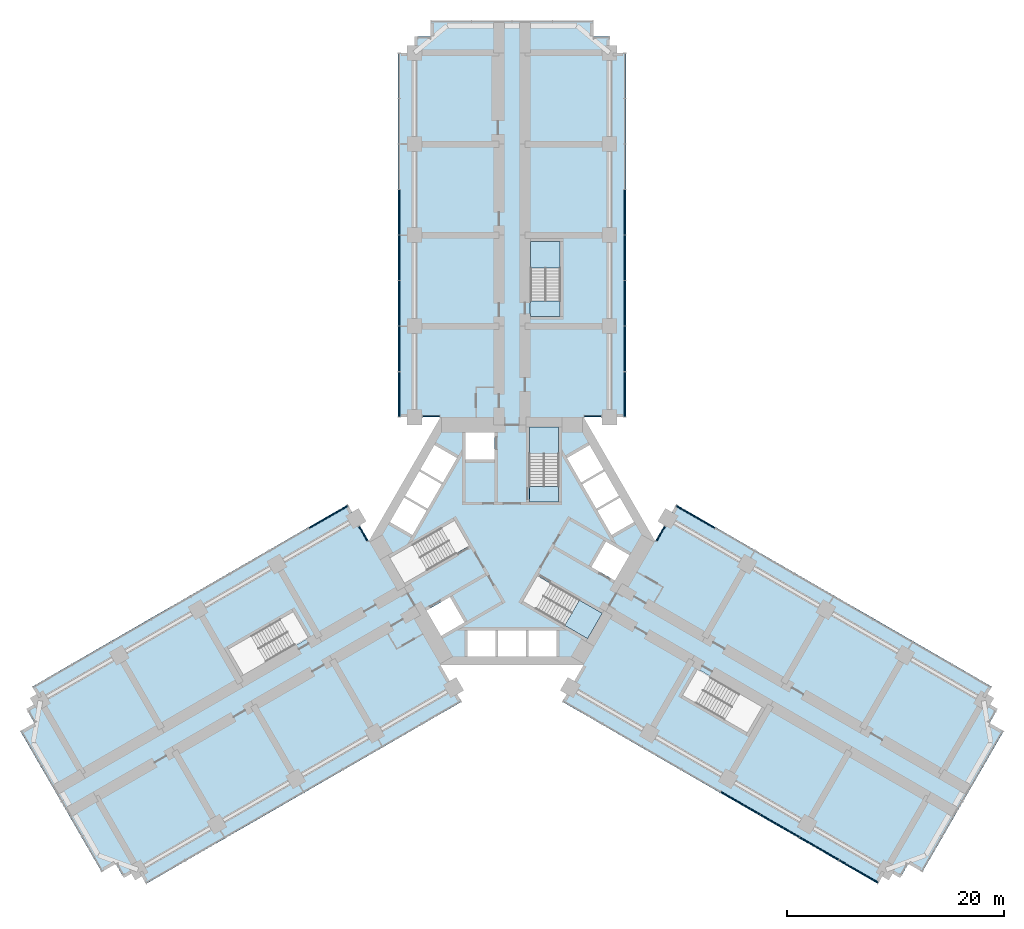
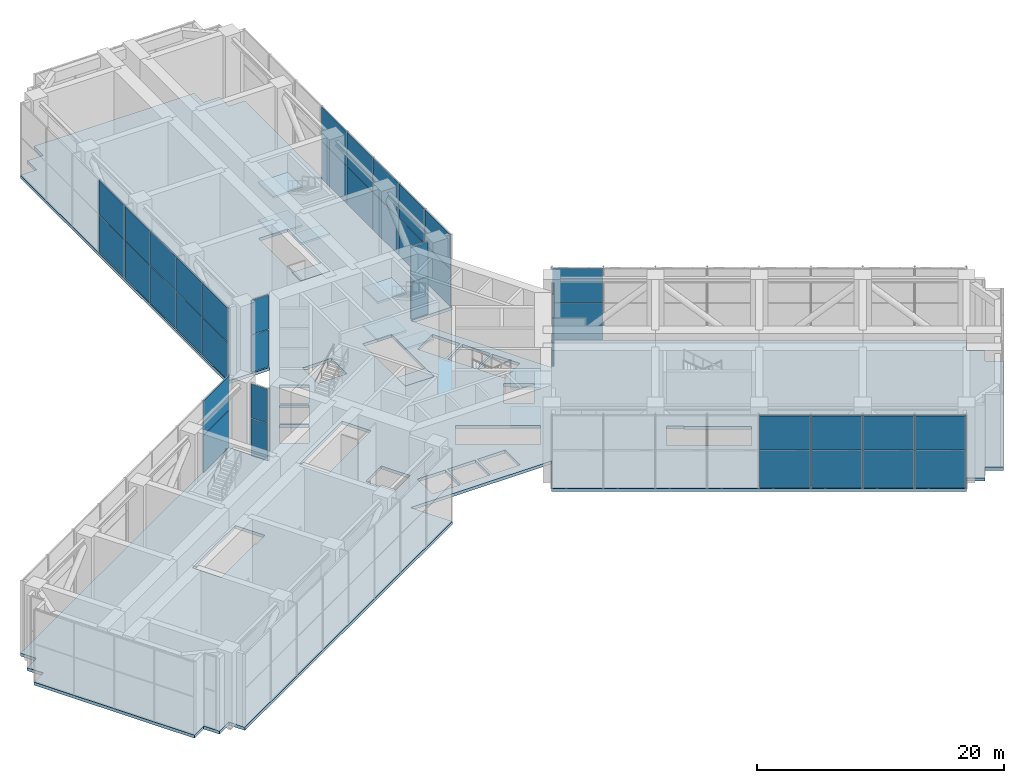
# One storey, part 11 of 19: 40 plates, 11 slabs, 12 elements without a shape of their own.
"""IFC4 building model written with IfcOpenShell, lengths in metres."""

from ifc_helpers import new_model, si_unit, direction, frame, origin, origin_2d, place, context, subcontext, project, spatial, polyline, rectangle, outline, extrude, material, layer, layer_set, type_object, element, aggregate, save


model = new_model("IFC4")

# Units and contexts
model_context = context("Model", 3, precision=1e-05, world=origin(), true_north=direction((0.0, 1.0)))
body_context = subcontext(model_context, "Body", "Model", "MODEL_VIEW")
ifc_project = project(units=[si_unit("LENGTHUNIT", "METRE"), si_unit("AREAUNIT", "SQUARE_METRE"), si_unit("VOLUMEUNIT", "CUBIC_METRE"), si_unit("PLANEANGLEUNIT", "RADIAN"), si_unit("MASSUNIT", "GRAM", prefix="KILO")], contexts=[model_context])

# Site, building, storey
site_placement = place(None, origin())
site = spatial("IfcSite", under=ifc_project, at=site_placement, CompositionType="ELEMENT")
building_placement = place(site_placement, origin())
building = spatial("IfcBuilding", under=site, at=building_placement, Name="Impinga Residences", CompositionType="ELEMENT")
storey_placement = place(building_placement, frame((0.0, 0.0, 93.5)))
storey = spatial("IfcBuildingStorey", under=building, at=storey_placement, Name="L23", CompositionType="ELEMENT", Elevation=93.5)

# Curtain wall, plates
ifc_material_1 = material(Name="Aluminium stick curtain wall", Category="aluminium")
curtain_wall_type = type_object("IfcCurtainWallType", Name="CW4 plant floor louvred curtain wall", PredefinedType="USERDEFINED", material=ifc_material_1)
curtain_wall_1_placement = place(storey_placement, origin())
curtain_wall_1 = element("IfcCurtainWall", 1, at=curtain_wall_1_placement, inside=storey, type_object=curtain_wall_type, Name="Curtain wall CW4 L23", ObjectType="STICK CURTAIN WALL", PredefinedType="USERDEFINED")
ifc_material_2 = material(Name="Aluminium louvre blade panel", Category="aluminium")
ifc_layer_1 = layer(ifc_material_2, 0.10009765625)
ifc_layer_set_1 = layer_set([ifc_layer_1], Name="CW4-P louvre panel 100")
plate_type = type_object("IfcPlateType", Name="CW4-P louvre panel 100", PredefinedType="CURTAIN_PANEL", material=ifc_layer_set_1)
plate_1_placement = place(storey_placement, frame((-16.931640625, 2.2333984375, 0.06005859375), z_axis=(0.0, 0.0, 1.0), x_axis=(0.866025407005, 0.499999994423, 0.0)))
plate_1 = element("IfcPlate", 2, at=plate_1_placement, type_object=plate_type, Name="CW4 panel 8.1", PredefinedType="CURTAIN_PANEL", context=body_context, shape_type="SweptSolid", body=[
    extrude(rectangle(XDim=4.110107421875, YDim=0.10009765625, at=origin_2d()), origin(), (0.0, 0.0, 1.0), 3.659912109375),
])
plate_2_placement = place(storey_placement, frame((-16.931640625, 2.2333984375, 3.77978515625), z_axis=(0.0, 0.0, 1.0), x_axis=(0.866025407005, 0.499999994423, 0.0)))
plate_2 = element("IfcPlate", 3, at=plate_2_placement, type_object=plate_type, Name="CW4 panel 8.2", PredefinedType="CURTAIN_PANEL", context=body_context, shape_type="SweptSolid", body=[
    extrude(rectangle(XDim=4.110107421875, YDim=0.10009765625, at=origin_2d()), origin(), (0.0, 0.0, 1.0), 3.360107421875),
])
aggregate(curtain_wall_1, [plate_1, plate_2])

curtain_wall_2_placement = place(storey_placement, origin())
curtain_wall_2 = element("IfcCurtainWall", 4, at=curtain_wall_2_placement, inside=storey, type_object=curtain_wall_type, Name="Curtain wall CW4 L23", ObjectType="STICK CURTAIN WALL", PredefinedType="USERDEFINED")
plate_3_placement = place(storey_placement, frame((-13.717041015625, 0.69580078125, 0.06005859375), z_axis=(0.0, 0.0, 1.0), x_axis=(0.500000069952, -0.866025363398, 0.0)))
plate_3 = element("IfcPlate", 5, at=plate_3_placement, type_object=plate_type, Name="CW4 panel 1.1", PredefinedType="CURTAIN_PANEL", context=body_context, shape_type="SweptSolid", body=[
    extrude(rectangle(XDim=1.5517578125, YDim=0.10009765625, at=origin_2d()), origin(), (0.0, 0.0, 1.0), 3.659912109375),
])
plate_4_placement = place(storey_placement, frame((-13.717041015625, 0.69580078125, 3.77978515625), z_axis=(0.0, 0.0, 1.0), x_axis=(0.500000069952, -0.866025363398, 0.0)))
plate_4 = element("IfcPlate", 6, at=plate_4_placement, type_object=plate_type, Name="CW4 panel 1.2", PredefinedType="CURTAIN_PANEL", context=body_context, shape_type="SweptSolid", body=[
    extrude(rectangle(XDim=1.5517578125, YDim=0.10009765625, at=origin_2d()), origin(), (0.0, 0.0, 1.0), 3.360107421875),
])
aggregate(curtain_wall_2, [plate_3, plate_4])

curtain_wall_3_placement = place(storey_placement, origin())
curtain_wall_3 = element("IfcCurtainWall", 7, at=curtain_wall_3_placement, inside=storey, type_object=curtain_wall_type, Name="Curtain wall CW4 L23", ObjectType="STICK CURTAIN WALL", PredefinedType="USERDEFINED")
plate_5_placement = place(storey_placement, frame((-7.461181640625, 11.531494140625, 0.06005859375), z_axis=(0.0, 0.0, 1.0), x_axis=(-1.0, 0.0, 0.0)))
plate_5 = element("IfcPlate", 8, at=plate_5_placement, type_object=plate_type, Name="CW4 panel 1.1", PredefinedType="CURTAIN_PANEL", context=body_context, shape_type="SweptSolid", body=[
    extrude(rectangle(XDim=1.5517578125, YDim=0.10009765625, at=origin_2d()), origin(), (0.0, 0.0, 1.0), 3.659912109375),
])
plate_6_placement = place(storey_placement, frame((-7.461181640625, 11.531494140625, 3.77978515625), z_axis=(0.0, 0.0, 1.0), x_axis=(-1.0, 0.0, 0.0)))
plate_6 = element("IfcPlate", 9, at=plate_6_placement, type_object=plate_type, Name="CW4 panel 1.2", PredefinedType="CURTAIN_PANEL", context=body_context, shape_type="SweptSolid", body=[
    extrude(rectangle(XDim=1.5517578125, YDim=0.10009765625, at=origin_2d()), origin(), (0.0, 0.0, 1.0), 3.360107421875),
])
aggregate(curtain_wall_3, [plate_5, plate_6])

curtain_wall_4_placement = place(storey_placement, origin())
curtain_wall_4 = element("IfcCurtainWall", 10, at=curtain_wall_4_placement, inside=storey, type_object=curtain_wall_type, Name="Curtain wall CW4 L23", ObjectType="STICK CURTAIN WALL", PredefinedType="USERDEFINED")
plate_7_placement = place(storey_placement, frame((-10.39990234375, 13.546630859375, 0.06005859375), z_axis=(0.0, 0.0, 1.0), x_axis=(0.0, 1.0, 0.0)))
plate_7 = element("IfcPlate", 11, at=plate_7_placement, type_object=plate_type, Name="CW4 panel 1.1", PredefinedType="CURTAIN_PANEL", context=body_context, shape_type="SweptSolid", body=[
    extrude(rectangle(XDim=4.110107421875, YDim=0.10009765625, at=origin_2d()), origin(), (0.0, 0.0, 1.0), 3.659912109375),
])
plate_8_placement = place(storey_placement, frame((-10.39990234375, 13.546630859375, 3.77978515625), z_axis=(0.0, 0.0, 1.0), x_axis=(0.0, 1.0, 0.0)))
plate_8 = element("IfcPlate", 12, at=plate_8_placement, type_object=plate_type, Name="CW4 panel 1.2", PredefinedType="CURTAIN_PANEL", context=body_context, shape_type="SweptSolid", body=[
    extrude(rectangle(XDim=4.110107421875, YDim=0.10009765625, at=origin_2d()), origin(), (0.0, 0.0, 1.0), 3.360107421875),
])
plate_9_placement = place(storey_placement, frame((-10.39990234375, 17.7314453125, 0.06005859375), z_axis=(0.0, 0.0, 1.0), x_axis=(0.0, 1.0, 0.0)))
plate_9 = element("IfcPlate", 13, at=plate_9_placement, type_object=plate_type, Name="CW4 panel 2.1", PredefinedType="CURTAIN_PANEL", context=body_context, shape_type="SweptSolid", body=[
    extrude(rectangle(XDim=4.139892578125, YDim=0.10009765625, at=origin_2d()), origin(), (0.0, 0.0, 1.0), 3.659912109375),
])
plate_10_placement = place(storey_placement, frame((-10.39990234375, 17.7314453125, 3.77978515625), z_axis=(0.0, 0.0, 1.0), x_axis=(0.0, 1.0, 0.0)))
plate_10 = element("IfcPlate", 14, at=plate_10_placement, type_object=plate_type, Name="CW4 panel 2.2", PredefinedType="CURTAIN_PANEL", context=body_context, shape_type="SweptSolid", body=[
    extrude(rectangle(XDim=4.139892578125, YDim=0.10009765625, at=origin_2d()), origin(), (0.0, 0.0, 1.0), 3.360107421875),
])
plate_11_placement = place(storey_placement, frame((-10.39990234375, 21.931640625, 0.06005859375), z_axis=(0.0, 0.0, 1.0), x_axis=(0.0, 1.0, 0.0)))
plate_11 = element("IfcPlate", 15, at=plate_11_placement, type_object=plate_type, Name="CW4 panel 3.1", PredefinedType="CURTAIN_PANEL", context=body_context, shape_type="SweptSolid", body=[
    extrude(rectangle(XDim=4.139892578125, YDim=0.10009765625, at=origin_2d()), origin(), (0.0, 0.0, 1.0), 3.659912109375),
])
plate_12_placement = place(storey_placement, frame((-10.39990234375, 21.931640625, 3.77978515625), z_axis=(0.0, 0.0, 1.0), x_axis=(0.0, 1.0, 0.0)))
plate_12 = element("IfcPlate", 16, at=plate_12_placement, type_object=plate_type, Name="CW4 panel 3.2", PredefinedType="CURTAIN_PANEL", context=body_context, shape_type="SweptSolid", body=[
    extrude(rectangle(XDim=4.139892578125, YDim=0.10009765625, at=origin_2d()), origin(), (0.0, 0.0, 1.0), 3.360107421875),
])
plate_13_placement = place(storey_placement, frame((-10.39990234375, 26.131591796875, 0.06005859375), z_axis=(0.0, 0.0, 1.0), x_axis=(0.0, 1.0, 0.0)))
plate_13 = element("IfcPlate", 17, at=plate_13_placement, type_object=plate_type, Name="CW4 panel 4.1", PredefinedType="CURTAIN_PANEL", context=body_context, shape_type="SweptSolid", body=[
    extrude(rectangle(XDim=4.139892578125, YDim=0.10009765625, at=origin_2d()), origin(), (0.0, 0.0, 1.0), 3.659912109375),
])
plate_14_placement = place(storey_placement, frame((-10.39990234375, 26.131591796875, 3.77978515625), z_axis=(0.0, 0.0, 1.0), x_axis=(0.0, 1.0, 0.0)))
plate_14 = element("IfcPlate", 18, at=plate_14_placement, type_object=plate_type, Name="CW4 panel 4.2", PredefinedType="CURTAIN_PANEL", context=body_context, shape_type="SweptSolid", body=[
    extrude(rectangle(XDim=4.139892578125, YDim=0.10009765625, at=origin_2d()), origin(), (0.0, 0.0, 1.0), 3.360107421875),
])
plate_15_placement = place(storey_placement, frame((-10.39990234375, 30.33154296875, 0.06005859375), z_axis=(0.0, 0.0, 1.0), x_axis=(0.0, 1.0, 0.0)))
plate_15 = element("IfcPlate", 19, at=plate_15_placement, type_object=plate_type, Name="CW4 panel 5.1", PredefinedType="CURTAIN_PANEL", context=body_context, shape_type="SweptSolid", body=[
    extrude(rectangle(XDim=4.139892578125, YDim=0.10009765625, at=origin_2d()), origin(), (0.0, 0.0, 1.0), 3.659912109375),
])
plate_16_placement = place(storey_placement, frame((-10.39990234375, 30.33154296875, 3.77978515625), z_axis=(0.0, 0.0, 1.0), x_axis=(0.0, 1.0, 0.0)))
plate_16 = element("IfcPlate", 20, at=plate_16_placement, type_object=plate_type, Name="CW4 panel 5.2", PredefinedType="CURTAIN_PANEL", context=body_context, shape_type="SweptSolid", body=[
    extrude(rectangle(XDim=4.139892578125, YDim=0.10009765625, at=origin_2d()), origin(), (0.0, 0.0, 1.0), 3.360107421875),
])
aggregate(curtain_wall_4, [plate_7, plate_8, plate_9, plate_10, plate_11, plate_12, plate_13, plate_14, plate_15, plate_16])

curtain_wall_5_placement = place(storey_placement, origin())
curtain_wall_5 = element("IfcCurtainWall", 21, at=curtain_wall_5_placement, inside=storey, type_object=curtain_wall_type, Name="Curtain wall CW4 L23", ObjectType="STICK CURTAIN WALL", PredefinedType="USERDEFINED")
plate_17_placement = place(storey_placement, frame((10.39990234375, 30.33154296875, 0.06005859375), z_axis=(0.0, 0.0, 1.0), x_axis=(0.0, -1.0, 0.0)))
plate_17 = element("IfcPlate", 22, at=plate_17_placement, type_object=plate_type, Name="CW4 panel 4.1", PredefinedType="CURTAIN_PANEL", context=body_context, shape_type="SweptSolid", body=[
    extrude(rectangle(XDim=4.139892578125, YDim=0.10009765625, at=origin_2d()), origin(), (0.0, 0.0, 1.0), 3.659912109375),
])
plate_18_placement = place(storey_placement, frame((10.39990234375, 30.33154296875, 3.77978515625), z_axis=(0.0, 0.0, 1.0), x_axis=(0.0, -1.0, 0.0)))
plate_18 = element("IfcPlate", 23, at=plate_18_placement, type_object=plate_type, Name="CW4 panel 4.2", PredefinedType="CURTAIN_PANEL", context=body_context, shape_type="SweptSolid", body=[
    extrude(rectangle(XDim=4.139892578125, YDim=0.10009765625, at=origin_2d()), origin(), (0.0, 0.0, 1.0), 3.360107421875),
])
plate_19_placement = place(storey_placement, frame((10.39990234375, 26.131591796875, 0.06005859375), z_axis=(0.0, 0.0, 1.0), x_axis=(0.0, -1.0, 0.0)))
plate_19 = element("IfcPlate", 24, at=plate_19_placement, type_object=plate_type, Name="CW4 panel 5.1", PredefinedType="CURTAIN_PANEL", context=body_context, shape_type="SweptSolid", body=[
    extrude(rectangle(XDim=4.139892578125, YDim=0.10009765625, at=origin_2d()), origin(), (0.0, 0.0, 1.0), 3.659912109375),
])
plate_20_placement = place(storey_placement, frame((10.39990234375, 26.131591796875, 3.77978515625), z_axis=(0.0, 0.0, 1.0), x_axis=(0.0, -1.0, 0.0)))
plate_20 = element("IfcPlate", 25, at=plate_20_placement, type_object=plate_type, Name="CW4 panel 5.2", PredefinedType="CURTAIN_PANEL", context=body_context, shape_type="SweptSolid", body=[
    extrude(rectangle(XDim=4.139892578125, YDim=0.10009765625, at=origin_2d()), origin(), (0.0, 0.0, 1.0), 3.360107421875),
])
plate_21_placement = place(storey_placement, frame((10.39990234375, 21.931640625, 0.06005859375), z_axis=(0.0, 0.0, 1.0), x_axis=(0.0, -1.0, 0.0)))
plate_21 = element("IfcPlate", 26, at=plate_21_placement, type_object=plate_type, Name="CW4 panel 6.1", PredefinedType="CURTAIN_PANEL", context=body_context, shape_type="SweptSolid", body=[
    extrude(rectangle(XDim=4.139892578125, YDim=0.10009765625, at=origin_2d()), origin(), (0.0, 0.0, 1.0), 3.659912109375),
])
plate_22_placement = place(storey_placement, frame((10.39990234375, 21.931640625, 3.77978515625), z_axis=(0.0, 0.0, 1.0), x_axis=(0.0, -1.0, 0.0)))
plate_22 = element("IfcPlate", 27, at=plate_22_placement, type_object=plate_type, Name="CW4 panel 6.2", PredefinedType="CURTAIN_PANEL", context=body_context, shape_type="SweptSolid", body=[
    extrude(rectangle(XDim=4.139892578125, YDim=0.10009765625, at=origin_2d()), origin(), (0.0, 0.0, 1.0), 3.360107421875),
])
plate_23_placement = place(storey_placement, frame((10.39990234375, 17.7314453125, 0.06005859375), z_axis=(0.0, 0.0, 1.0), x_axis=(0.0, -1.0, 0.0)))
plate_23 = element("IfcPlate", 28, at=plate_23_placement, type_object=plate_type, Name="CW4 panel 7.1", PredefinedType="CURTAIN_PANEL", context=body_context, shape_type="SweptSolid", body=[
    extrude(rectangle(XDim=4.139892578125, YDim=0.10009765625, at=origin_2d()), origin(), (0.0, 0.0, 1.0), 3.659912109375),
])
plate_24_placement = place(storey_placement, frame((10.39990234375, 17.7314453125, 3.77978515625), z_axis=(0.0, 0.0, 1.0), x_axis=(0.0, -1.0, 0.0)))
plate_24 = element("IfcPlate", 29, at=plate_24_placement, type_object=plate_type, Name="CW4 panel 7.2", PredefinedType="CURTAIN_PANEL", context=body_context, shape_type="SweptSolid", body=[
    extrude(rectangle(XDim=4.139892578125, YDim=0.10009765625, at=origin_2d()), origin(), (0.0, 0.0, 1.0), 3.360107421875),
])
plate_25_placement = place(storey_placement, frame((10.39990234375, 13.546630859375, 0.06005859375), z_axis=(0.0, 0.0, 1.0), x_axis=(0.0, -1.0, 0.0)))
plate_25 = element("IfcPlate", 30, at=plate_25_placement, type_object=plate_type, Name="CW4 panel 8.1", PredefinedType="CURTAIN_PANEL", context=body_context, shape_type="SweptSolid", body=[
    extrude(rectangle(XDim=4.110107421875, YDim=0.10009765625, at=origin_2d()), origin(), (0.0, 0.0, 1.0), 3.659912109375),
])
plate_26_placement = place(storey_placement, frame((10.39990234375, 13.546630859375, 3.77978515625), z_axis=(0.0, 0.0, 1.0), x_axis=(0.0, -1.0, 0.0)))
plate_26 = element("IfcPlate", 31, at=plate_26_placement, type_object=plate_type, Name="CW4 panel 8.2", PredefinedType="CURTAIN_PANEL", context=body_context, shape_type="SweptSolid", body=[
    extrude(rectangle(XDim=4.110107421875, YDim=0.10009765625, at=origin_2d()), origin(), (0.0, 0.0, 1.0), 3.360107421875),
])
aggregate(curtain_wall_5, [plate_17, plate_18, plate_19, plate_20, plate_21, plate_22, plate_23, plate_24, plate_25, plate_26])

curtain_wall_6_placement = place(storey_placement, origin())
curtain_wall_6 = element("IfcCurtainWall", 32, at=curtain_wall_6_placement, inside=storey, type_object=curtain_wall_type, Name="Curtain wall CW4 L23", ObjectType="STICK CURTAIN WALL", PredefinedType="USERDEFINED")
plate_27_placement = place(storey_placement, frame((7.461181640625, 11.531494140625, 0.06005859375), z_axis=(0.0, 0.0, 1.0), x_axis=(-1.0, 0.0, 0.0)))
plate_27 = element("IfcPlate", 33, at=plate_27_placement, type_object=plate_type, Name="CW4 panel 1.1", PredefinedType="CURTAIN_PANEL", context=body_context, shape_type="SweptSolid", body=[
    extrude(rectangle(XDim=1.5517578125, YDim=0.10009765625, at=origin_2d()), origin(), (0.0, 0.0, 1.0), 3.659912109375),
])
plate_28_placement = place(storey_placement, frame((7.461181640625, 11.531494140625, 3.77978515625), z_axis=(0.0, 0.0, 1.0), x_axis=(-1.0, 0.0, 0.0)))
plate_28 = element("IfcPlate", 34, at=plate_28_placement, type_object=plate_type, Name="CW4 panel 1.2", PredefinedType="CURTAIN_PANEL", context=body_context, shape_type="SweptSolid", body=[
    extrude(rectangle(XDim=1.5517578125, YDim=0.10009765625, at=origin_2d()), origin(), (0.0, 0.0, 1.0), 3.360107421875),
])
aggregate(curtain_wall_6, [plate_27, plate_28])

curtain_wall_7_placement = place(storey_placement, origin())
curtain_wall_7 = element("IfcCurtainWall", 35, at=curtain_wall_7_placement, inside=storey, type_object=curtain_wall_type, Name="Curtain wall CW4 L23", ObjectType="STICK CURTAIN WALL", PredefinedType="USERDEFINED")
plate_29_placement = place(storey_placement, frame((13.717041015625, 0.69580078125, 0.06005859375), z_axis=(0.0, 0.0, 1.0), x_axis=(0.500000069952, 0.866025363398, 0.0)))
plate_29 = element("IfcPlate", 36, at=plate_29_placement, type_object=plate_type, Name="CW4 panel 1.1", PredefinedType="CURTAIN_PANEL", context=body_context, shape_type="SweptSolid", body=[
    extrude(rectangle(XDim=1.5517578125, YDim=0.10009765625, at=origin_2d()), origin(), (0.0, 0.0, 1.0), 3.659912109375),
])
plate_30_placement = place(storey_placement, frame((13.717041015625, 0.69580078125, 3.77978515625), z_axis=(0.0, 0.0, 1.0), x_axis=(0.500000069952, 0.866025363398, 0.0)))
plate_30 = element("IfcPlate", 37, at=plate_30_placement, type_object=plate_type, Name="CW4 panel 1.2", PredefinedType="CURTAIN_PANEL", context=body_context, shape_type="SweptSolid", body=[
    extrude(rectangle(XDim=1.5517578125, YDim=0.10009765625, at=origin_2d()), origin(), (0.0, 0.0, 1.0), 3.360107421875),
])
aggregate(curtain_wall_7, [plate_29, plate_30])

curtain_wall_8_placement = place(storey_placement, origin())
curtain_wall_8 = element("IfcCurtainWall", 38, at=curtain_wall_8_placement, inside=storey, type_object=curtain_wall_type, Name="Curtain wall CW4 L23", ObjectType="STICK CURTAIN WALL", PredefinedType="USERDEFINED")
plate_31_placement = place(storey_placement, frame((16.931640625, 2.2333984375, 0.06005859375), z_axis=(0.0, 0.0, 1.0), x_axis=(0.866025407005, -0.499999994423, 0.0)))
plate_31 = element("IfcPlate", 39, at=plate_31_placement, type_object=plate_type, Name="CW4 panel 1.1", PredefinedType="CURTAIN_PANEL", context=body_context, shape_type="SweptSolid", body=[
    extrude(rectangle(XDim=4.110107421875, YDim=0.10009765625, at=origin_2d()), origin(), (0.0, 0.0, 1.0), 3.659912109375),
])
plate_32_placement = place(storey_placement, frame((16.931640625, 2.2333984375, 3.77978515625), z_axis=(0.0, 0.0, 1.0), x_axis=(0.866025407005, -0.499999994423, 0.0)))
plate_32 = element("IfcPlate", 40, at=plate_32_placement, type_object=plate_type, Name="CW4 panel 1.2", PredefinedType="CURTAIN_PANEL", context=body_context, shape_type="SweptSolid", body=[
    extrude(rectangle(XDim=4.110107421875, YDim=0.10009765625, at=origin_2d()), origin(), (0.0, 0.0, 1.0), 3.360107421875),
])
aggregate(curtain_wall_8, [plate_31, plate_32])

curtain_wall_9_placement = place(storey_placement, origin())
curtain_wall_9 = element("IfcCurtainWall", 41, at=curtain_wall_9_placement, inside=storey, type_object=curtain_wall_type, Name="Curtain wall CW4 L23", ObjectType="STICK CURTAIN WALL", PredefinedType="USERDEFINED")
plate_33_placement = place(storey_placement, frame((31.966796875, -30.46484375, 0.06005859375), z_axis=(0.0, 0.0, 1.0), x_axis=(-0.866025407005, 0.499999994423, 0.0)))
plate_33 = element("IfcPlate", 42, at=plate_33_placement, type_object=plate_type, Name="CW4 panel 1.1", PredefinedType="CURTAIN_PANEL", context=body_context, shape_type="SweptSolid", body=[
    extrude(rectangle(XDim=4.110107421875, YDim=0.10009765625, at=origin_2d()), origin(), (0.0, 0.0, 1.0), 3.659912109375),
])
plate_34_placement = place(storey_placement, frame((31.966796875, -30.46484375, 3.77978515625), z_axis=(0.0, 0.0, 1.0), x_axis=(-0.866025407005, 0.499999994423, 0.0)))
plate_34 = element("IfcPlate", 43, at=plate_34_placement, type_object=plate_type, Name="CW4 panel 1.2", PredefinedType="CURTAIN_PANEL", context=body_context, shape_type="SweptSolid", body=[
    extrude(rectangle(XDim=4.110107421875, YDim=0.10009765625, at=origin_2d()), origin(), (0.0, 0.0, 1.0), 3.360107421875),
])
plate_35_placement = place(storey_placement, frame((28.342529296875, -28.372314453125, 0.06005859375), z_axis=(0.0, 0.0, 1.0), x_axis=(-0.866025407005, 0.499999994423, 0.0)))
plate_35 = element("IfcPlate", 44, at=plate_35_placement, type_object=plate_type, Name="CW4 panel 2.1", PredefinedType="CURTAIN_PANEL", context=body_context, shape_type="SweptSolid", body=[
    extrude(rectangle(XDim=4.139892578125, YDim=0.10009765625, at=origin_2d()), origin(), (0.0, 0.0, 1.0), 3.659912109375),
])
plate_36_placement = place(storey_placement, frame((28.342529296875, -28.372314453125, 3.77978515625), z_axis=(0.0, 0.0, 1.0), x_axis=(-0.866025407005, 0.499999994423, 0.0)))
plate_36 = element("IfcPlate", 45, at=plate_36_placement, type_object=plate_type, Name="CW4 panel 2.2", PredefinedType="CURTAIN_PANEL", context=body_context, shape_type="SweptSolid", body=[
    extrude(rectangle(XDim=4.139892578125, YDim=0.10009765625, at=origin_2d()), origin(), (0.0, 0.0, 1.0), 3.360107421875),
])
plate_37_placement = place(storey_placement, frame((24.705078125, -26.2724609375, 0.06005859375), z_axis=(0.0, 0.0, 1.0), x_axis=(-0.866025407005, 0.499999994423, 0.0)))
plate_37 = element("IfcPlate", 46, at=plate_37_placement, type_object=plate_type, Name="CW4 panel 3.1", PredefinedType="CURTAIN_PANEL", context=body_context, shape_type="SweptSolid", body=[
    extrude(rectangle(XDim=4.139892578125, YDim=0.10009765625, at=origin_2d()), origin(), (0.0, 0.0, 1.0), 3.659912109375),
])
plate_38_placement = place(storey_placement, frame((24.705078125, -26.2724609375, 3.77978515625), z_axis=(0.0, 0.0, 1.0), x_axis=(-0.866025407005, 0.499999994423, 0.0)))
plate_38 = element("IfcPlate", 47, at=plate_38_placement, type_object=plate_type, Name="CW4 panel 3.2", PredefinedType="CURTAIN_PANEL", context=body_context, shape_type="SweptSolid", body=[
    extrude(rectangle(XDim=4.139892578125, YDim=0.10009765625, at=origin_2d()), origin(), (0.0, 0.0, 1.0), 3.360107421875),
])
plate_39_placement = place(storey_placement, frame((21.06787109375, -24.17236328125, 0.06005859375), z_axis=(0.0, 0.0, 1.0), x_axis=(-0.866025407005, 0.499999994423, 0.0)))
plate_39 = element("IfcPlate", 48, at=plate_39_placement, type_object=plate_type, Name="CW4 panel 4.1", PredefinedType="CURTAIN_PANEL", context=body_context, shape_type="SweptSolid", body=[
    extrude(rectangle(XDim=4.139892578125, YDim=0.10009765625, at=origin_2d()), origin(), (0.0, 0.0, 1.0), 3.659912109375),
])
plate_40_placement = place(storey_placement, frame((21.06787109375, -24.17236328125, 3.77978515625), z_axis=(0.0, 0.0, 1.0), x_axis=(-0.866025407005, 0.499999994423, 0.0)))
plate_40 = element("IfcPlate", 49, at=plate_40_placement, type_object=plate_type, Name="CW4 panel 4.2", PredefinedType="CURTAIN_PANEL", context=body_context, shape_type="SweptSolid", body=[
    extrude(rectangle(XDim=4.139892578125, YDim=0.10009765625, at=origin_2d()), origin(), (0.0, 0.0, 1.0), 3.360107421875),
])
aggregate(curtain_wall_9, [plate_33, plate_34, plate_35, plate_36, plate_37, plate_38, plate_39, plate_40])

# Slab
ifc_material_3 = material(Name="Concrete C60/75", Category="concrete")
ifc_layer_2 = layer(ifc_material_3, 0.300048828125)
ifc_layer_set_2 = layer_set([ifc_layer_2], Name="Concrete C60/75")
slab_type_1 = type_object("IfcSlabType", Name="FS2 podium, plant and crown floor slab 300", PredefinedType="FLOOR", material=ifc_layer_set_2)
slab_1_placement = place(storey_placement, frame((0.0, 0.0, -0.300048828125)))
element("IfcSlab", 50, at=slab_1_placement, inside=storey, type_object=slab_type_1, Name="Floor slab FS2 L23", PredefinedType="FLOOR", context=body_context, shape_type="SweptSolid", body=[
    extrude(outline(polyline([(-34.49853515625, -30.31005859375), (-35.797607421875, -31.06005859375), (-36.547607421875, -29.760986328125), (-37.846435546875, -30.510986328125), (-45.346435546875, -17.5205078125), (-44.047607421875, -16.7705078125), (-44.797607421875, -15.471435546875), (-43.49853515625, -14.721435546875), (-44.24853515625, -13.422607421875), (-15.14990234375, 3.37744140625), (-13.199951171875, 0.0), (-6.60009765625, 11.431640625), (-10.5, 11.431640625), (-10.5, 45.031494140625), (-9.0, 45.031494140625), (-9.0, 46.531494140625), (-7.5, 46.531494140625), (-7.5, 48.031494140625), (7.5, 48.031494140625), (7.5, 46.531494140625), (9.0, 46.531494140625), (9.0, 45.031494140625), (10.5, 45.031494140625), (10.5, 11.431640625), (6.60009765625, 11.431640625), (13.199951171875, 0.0), (15.14990234375, 3.37744140625), (44.24853515625, -13.422607421875), (43.49853515625, -14.721435546875), (44.797607421875, -15.471435546875), (44.047607421875, -16.7705078125), (45.346435546875, -17.5205078125), (37.846435546875, -30.510986328125), (36.547607421875, -29.760986328125), (35.797607421875, -31.06005859375), (34.49853515625, -30.31005859375), (33.74853515625, -31.609130859375), (4.64990234375, -14.80908203125), (9.900146484375, -5.7158203125), (6.60009765625, -11.431640625), (-6.60009765625, -11.431640625), (-9.900146484375, -5.7158203125), (-4.64990234375, -14.80908203125), (-33.74853515625, -31.609130859375), (-34.49853515625, -30.31005859375)]), holes=[polyline([(-4.10009765625, -8.2314453125), (-4.10009765625, -10.631591796875), (-1.5, -10.631591796875), (-1.5, -8.2314453125), (-4.10009765625, -8.2314453125)]), polyline([(1.300048828125, -8.2314453125), (-1.300048828125, -8.2314453125), (-1.300048828125, -10.631591796875), (1.300048828125, -10.631591796875), (1.300048828125, -8.2314453125)]), polyline([(4.10009765625, -8.2314453125), (1.5, -8.2314453125), (1.5, -10.631591796875), (4.10009765625, -10.631591796875), (4.10009765625, -8.2314453125)]), polyline([(-18.779052734375, -8.936767578125), (-18.8291015625, -8.850341796875), (-18.8291015625, -8.850341796875), (-20.178955078125, -6.511962890625), (-21.391357421875, -7.2119140625), (-21.391357421875, -7.2119140625), (-26.154541015625, -9.9619140625), (-24.8046875, -12.30029296875), (-20.04150390625, -9.55029296875), (-20.016357421875, -9.593505859375), (-20.016357421875, -9.593505859375), (-19.991455078125, -9.63671875), (-18.779052734375, -8.936767578125)]), polyline([(-5.72119140625, -5.150634765625), (-7.887451171875, -6.4013671875), (-6.53759765625, -8.73974609375), (-4.37109375, -7.489013671875), (-5.72119140625, -5.150634765625)]), polyline([(-3.943603515625, -0.429443359375), (-5.293701171875, 1.908935546875), (-11.2705078125, -1.541748046875), (-9.920654296875, -3.880126953125), (-3.943603515625, -0.429443359375)]), polyline([(-9.1787109375, 0.56494140625), (-7.878662109375, 2.816650390625), (-9.957275390625, 4.016845703125), (-11.257080078125, 1.76513671875), (-9.1787109375, 0.56494140625)]), polyline([(-6.478759765625, 5.24169921875), (-8.55712890625, 6.441650390625), (-9.857177734375, 4.18994140625), (-7.77880859375, 2.989990234375), (-6.478759765625, 5.24169921875)]), polyline([(-6.378662109375, 5.414794921875), (-5.07861328125, 7.66650390625), (-7.1572265625, 8.866455078125), (-8.457275390625, 6.61474609375), (-6.378662109375, 5.414794921875)]), polyline([(-4.300048828125, 7.530029296875), (-1.60009765625, 7.530029296875), (-1.60009765625, 10.031494140625), (-4.300048828125, 10.031494140625), (-4.300048828125, 7.530029296875)]), polyline([(15.72900390625, -14.219482421875), (21.70458984375, -17.669677734375), (23.0546875, -15.331298828125), (18.29150390625, -12.581298828125), (18.341552734375, -12.49462890625), (17.129150390625, -11.794677734375), (17.10400390625, -11.837890625), (17.10400390625, -11.837890625), (15.72900390625, -14.219482421875)]), polyline([(0.99365234375, -5.538818359375), (6.970458984375, -8.98974609375), (8.320556640625, -6.6513671875), (2.34375, -3.20068359375), (0.99365234375, -5.538818359375)]), polyline([(8.671142578125, -0.041015625), (7.3212890625, -2.37939453125), (9.487548828125, -3.630126953125), (10.837646484375, -1.291748046875), (8.671142578125, -0.041015625)]), polyline([(7.878662109375, 2.816650390625), (9.1787109375, 0.56494140625), (11.257080078125, 1.76513671875), (9.957275390625, 4.016845703125), (7.878662109375, 2.816650390625)]), polyline([(7.77880859375, 2.989990234375), (9.857177734375, 4.18994140625), (8.55712890625, 6.441650390625), (6.478759765625, 5.24169921875), (7.77880859375, 2.989990234375)]), polyline([(1.60009765625, 3.6298828125), (4.300048828125, 3.6298828125), (4.300048828125, 10.531494140625), (1.60009765625, 10.531494140625), (1.60009765625, 3.6298828125)]), polyline([(5.07861328125, 7.66650390625), (6.378662109375, 5.414794921875), (8.457275390625, 6.61474609375), (7.1572265625, 8.866455078125), (5.07861328125, 7.66650390625)]), polyline([(1.699951171875, 22.131591796875), (1.64990234375, 22.131591796875), (1.64990234375, 20.7314453125), (1.699951171875, 20.7314453125), (1.75, 20.7314453125), (4.449951171875, 20.7314453125), (4.449951171875, 22.131591796875), (4.449951171875, 27.631591796875), (1.75, 27.631591796875), (1.75, 22.131591796875), (1.699951171875, 22.131591796875)])]), origin(), (0.0, 0.0, 1.0), 0.300048828125),
])

# Stair, slabs
ifc_material_4 = material(Name="Concrete C40/50", Category="concrete")
stair_type_1 = type_object("IfcStairType", Name="STR core stair 7500 storey, 48 risers", PredefinedType="HALF_TURN_STAIR", material=ifc_material_4)
stair_1_placement = place(storey_placement, origin())
stair_1 = element("IfcStair", 51, at=stair_1_placement, inside=storey, type_object=stair_type_1, Name="Stair ST1 L23", PredefinedType="HALF_TURN_STAIR")
ifc_layer_3 = layer(ifc_material_4, 0.199951171875)
ifc_layer_set_3 = layer_set([ifc_layer_3], Name="Concrete C40/50")
slab_type_2 = type_object("IfcSlabType", Name="LS1 stair landing 200", PredefinedType="LANDING", material=ifc_layer_set_3)
slab_2_placement = place(storey_placement, frame((0.0, 0.0, -0.199951171875)))
slab_2 = element("IfcSlab", 52, at=slab_2_placement, type_object=slab_type_2, Name="ST1 landing 1", PredefinedType="LANDING", context=body_context, shape_type="SweptSolid", body=[
    extrude(outline(polyline([(1.60009765625, 3.6298828125), (4.300048828125, 3.6298828125), (4.300048828125, 5.0400390625), (1.60009765625, 5.0400390625), (1.60009765625, 3.6298828125)])), origin(), (0.0, 0.0, 1.0), 0.199951171875),
])
slab_3_placement = place(storey_placement, frame((0.0, 0.0, 1.675048828125)))
slab_3 = element("IfcSlab", 53, at=slab_3_placement, type_object=slab_type_2, Name="ST1 landing 2", PredefinedType="LANDING", context=body_context, shape_type="SweptSolid", body=[
    extrude(outline(polyline([(1.60009765625, 8.10009765625), (4.300048828125, 8.10009765625), (4.300048828125, 10.531494140625), (1.60009765625, 10.531494140625), (1.60009765625, 8.10009765625)])), origin(), (0.0, 0.0, 1.0), 0.199951171875),
])
slab_4_placement = place(storey_placement, frame((0.0, 0.0, 3.550048828125)))
slab_4 = element("IfcSlab", 54, at=slab_4_placement, type_object=slab_type_2, Name="ST1 landing 3", PredefinedType="LANDING", context=body_context, shape_type="SweptSolid", body=[
    extrude(outline(polyline([(1.60009765625, 3.6298828125), (4.300048828125, 3.6298828125), (4.300048828125, 5.0400390625), (1.60009765625, 5.0400390625), (1.60009765625, 3.6298828125)])), origin(), (0.0, 0.0, 1.0), 0.199951171875),
])
slab_5_placement = place(storey_placement, frame((0.0, 0.0, 5.425048828125)))
slab_5 = element("IfcSlab", 55, at=slab_5_placement, type_object=slab_type_2, Name="ST1 landing 4", PredefinedType="LANDING", context=body_context, shape_type="SweptSolid", body=[
    extrude(outline(polyline([(1.60009765625, 8.10009765625), (4.300048828125, 8.10009765625), (4.300048828125, 10.531494140625), (1.60009765625, 10.531494140625), (1.60009765625, 8.10009765625)])), origin(), (0.0, 0.0, 1.0), 0.199951171875),
])
aggregate(stair_1, [slab_2, slab_3, slab_4, slab_5])

stair_2_placement = place(storey_placement, origin())
stair_2 = element("IfcStair", 56, at=stair_2_placement, inside=storey, type_object=stair_type_1, Name="Stair ST3 L23", PredefinedType="HALF_TURN_STAIR")
slab_6_placement = place(storey_placement, frame((0.0, 0.0, 1.675048828125)))
slab_6 = element("IfcSlab", 57, at=slab_6_placement, type_object=slab_type_2, Name="ST3 landing 2", PredefinedType="LANDING", context=body_context, shape_type="SweptSolid", body=[
    extrude(outline(polyline([(6.21484375, -5.435546875), (4.86474609375, -7.77392578125), (6.970458984375, -8.98974609375), (8.320556640625, -6.6513671875), (6.21484375, -5.435546875)])), origin(), (0.0, 0.0, 1.0), 0.199951171875),
])
slab_7_placement = place(storey_placement, frame((0.0, 0.0, 5.425048828125)))
slab_7 = element("IfcSlab", 58, at=slab_7_placement, type_object=slab_type_2, Name="ST3 landing 4", PredefinedType="LANDING", context=body_context, shape_type="SweptSolid", body=[
    extrude(outline(polyline([(6.21484375, -5.435546875), (4.86474609375, -7.77392578125), (6.970458984375, -8.98974609375), (8.320556640625, -6.6513671875), (6.21484375, -5.435546875)])), origin(), (0.0, 0.0, 1.0), 0.199951171875),
])
aggregate(stair_2, [slab_6, slab_7])

stair_type_2 = type_object("IfcStairType", Name="STR wing stair 7500 storey, 48 risers", PredefinedType="HALF_TURN_STAIR", material=ifc_material_4)
stair_3_placement = place(storey_placement, origin())
stair_3 = element("IfcStair", 59, at=stair_3_placement, inside=storey, type_object=stair_type_2, Name="Stair WS1 L23", PredefinedType="HALF_TURN_STAIR")
slab_8_placement = place(storey_placement, frame((0.0, 0.0, -0.199951171875)))
slab_8 = element("IfcSlab", 60, at=slab_8_placement, type_object=slab_type_2, Name="WS1 landing 1", PredefinedType="LANDING", context=body_context, shape_type="SweptSolid", body=[
    extrude(outline(polyline([(1.699951171875, 20.7314453125), (4.449951171875, 20.7314453125), (4.449951171875, 22.1416015625), (1.699951171875, 22.1416015625), (1.699951171875, 20.7314453125)])), origin(), (0.0, 0.0, 1.0), 0.199951171875),
])
slab_9_placement = place(storey_placement, frame((0.0, 0.0, 1.675048828125)))
slab_9 = element("IfcSlab", 61, at=slab_9_placement, type_object=slab_type_2, Name="WS1 landing 2", PredefinedType="LANDING", context=body_context, shape_type="SweptSolid", body=[
    extrude(outline(polyline([(1.699951171875, 25.201416015625), (4.449951171875, 25.201416015625), (4.449951171875, 27.631591796875), (1.699951171875, 27.631591796875), (1.699951171875, 25.201416015625)])), origin(), (0.0, 0.0, 1.0), 0.199951171875),
])
slab_10_placement = place(storey_placement, frame((0.0, 0.0, 3.550048828125)))
slab_10 = element("IfcSlab", 62, at=slab_10_placement, type_object=slab_type_2, Name="WS1 landing 3", PredefinedType="LANDING", context=body_context, shape_type="SweptSolid", body=[
    extrude(outline(polyline([(1.699951171875, 20.7314453125), (4.449951171875, 20.7314453125), (4.449951171875, 22.1416015625), (1.699951171875, 22.1416015625), (1.699951171875, 20.7314453125)])), origin(), (0.0, 0.0, 1.0), 0.199951171875),
])
slab_11_placement = place(storey_placement, frame((0.0, 0.0, 5.425048828125)))
slab_11 = element("IfcSlab", 63, at=slab_11_placement, type_object=slab_type_2, Name="WS1 landing 4", PredefinedType="LANDING", context=body_context, shape_type="SweptSolid", body=[
    extrude(outline(polyline([(1.699951171875, 25.201416015625), (4.449951171875, 25.201416015625), (4.449951171875, 27.631591796875), (1.699951171875, 27.631591796875), (1.699951171875, 25.201416015625)])), origin(), (0.0, 0.0, 1.0), 0.199951171875),
])
aggregate(stair_3, [slab_8, slab_9, slab_10, slab_11])

save(model, "model.ifc")
